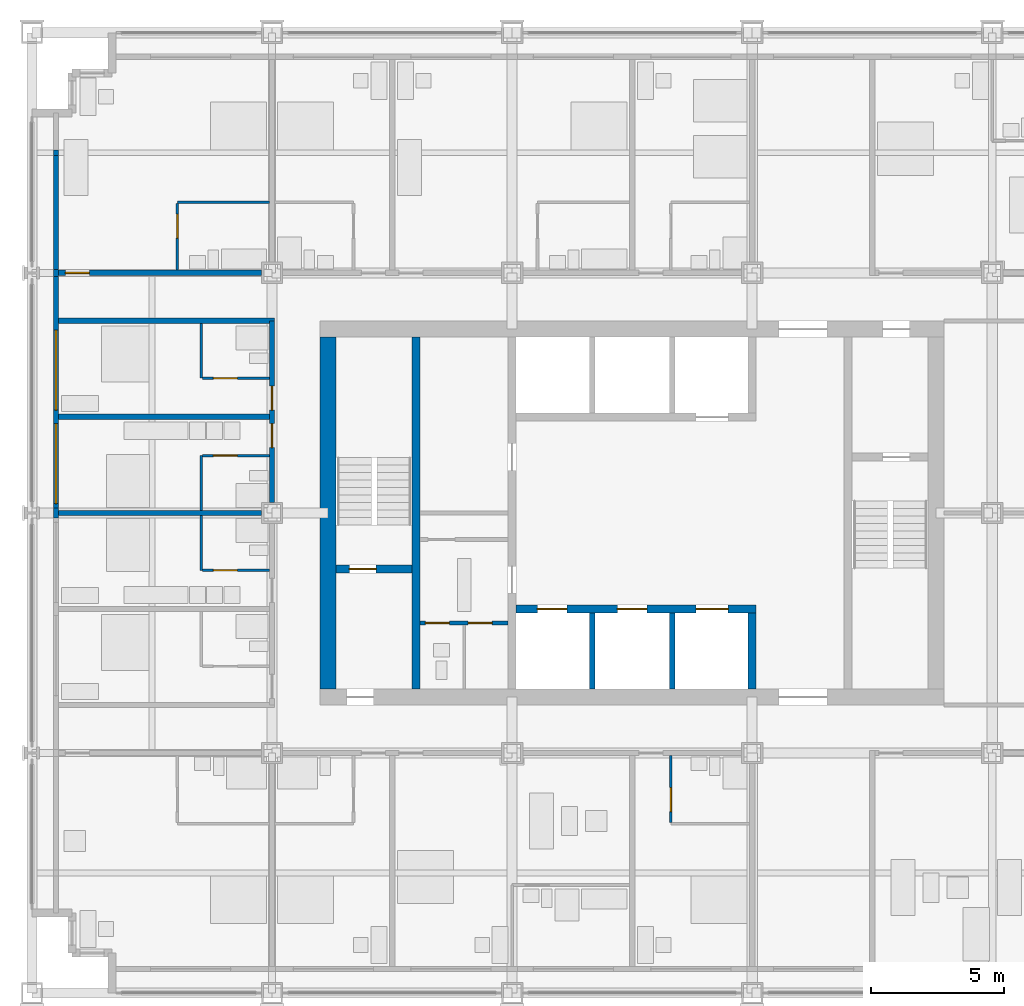
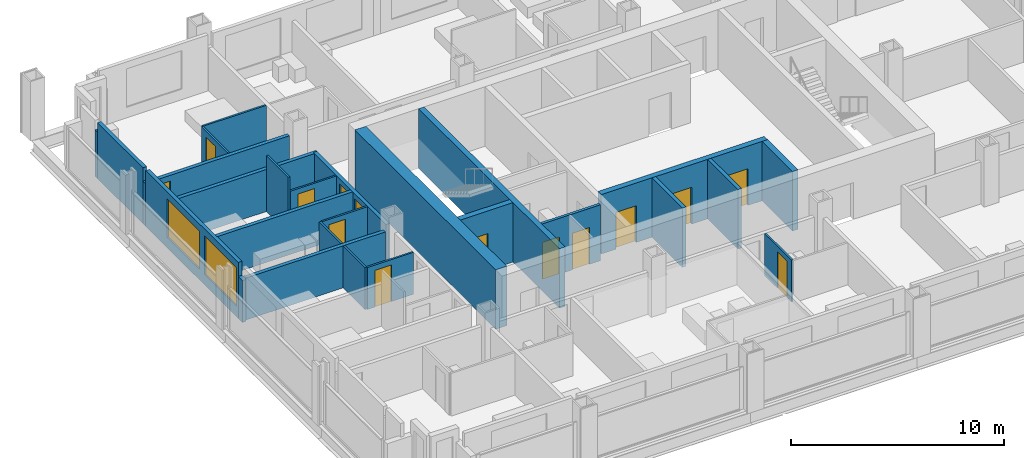
# One storey, part 11 of 18: 27 walls, 14 doors, 2 windows, 16 openings.
"""IFC4 building model written with IfcOpenShell, lengths in metres."""

from ifc_helpers import new_model, si_unit, direction, frame, frame_2d, origin, place, context, subcontext, project, spatial, rectangle, extrude, material, layer, layer_set, type_object, element, fill, save


model = new_model("IFC4")

# Units and contexts
model_context = context("Model", 3, precision=1e-05, world=origin(), true_north=direction((0.0, 1.0)))
body_context = subcontext(model_context, "Body", "Model", "MODEL_VIEW")
ifc_project = project(units=[si_unit("LENGTHUNIT", "METRE"), si_unit("AREAUNIT", "SQUARE_METRE"), si_unit("VOLUMEUNIT", "CUBIC_METRE"), si_unit("PLANEANGLEUNIT", "RADIAN"), si_unit("MASSUNIT", "GRAM", prefix="KILO")], contexts=[model_context])

# Site, building, storey
site_placement = place(None, origin())
site = spatial("IfcSite", under=ifc_project, at=site_placement, CompositionType="ELEMENT")
building_placement = place(site_placement, origin())
building = spatial("IfcBuilding", under=site, at=building_placement, Name="Loomwork Tower", CompositionType="ELEMENT")
storey_placement = place(building_placement, frame((0.0, 0.0, 55.199951171875)))
storey = spatial("IfcBuildingStorey", under=building, at=storey_placement, Name="L13", CompositionType="ELEMENT", Elevation=55.199951171875)

# Wall
ifc_material_1 = material(Name="Concrete 14000 psi (97 MPa)", Category="concrete")
ifc_layer_1 = layer(ifc_material_1, 0.300048828125)
ifc_layer_set_1 = layer_set([ifc_layer_1], Name="Core shear wall 300")
wall_type_1 = type_object("IfcWallType", Name="Core shear wall 300", PredefinedType="SHEAR", material=ifc_layer_set_1)
wall_1_placement = place(storey_placement, frame((14.39990234375, 11.39990234375, 0.0), z_axis=(0.0, 0.0, 1.0), x_axis=(0.0, 1.0, 0.0)))
element("IfcWall", 1, at=wall_1_placement, inside=storey, type_object=wall_type_1, Name="Stair A east wall L13", PredefinedType="SHEAR", context=body_context, shape_type="SweptSolid", body=[
    extrude(rectangle(XDim=13.2001953125, YDim=0.300048828125, at=frame_2d((6.60009765625, 0.0))), origin(), (0.0, 0.0, 1.0), 3.400146484375),
])

# Wall, opening, door
wall_2_placement = place(storey_placement, frame((11.39990234375, 15.89990234375, 0.0), z_axis=(0.0, 0.0, 1.0), x_axis=(1.0, 0.0, 0.0)))
wall_2 = element("IfcWall", 2, at=wall_2_placement, inside=storey, type_object=wall_type_1, Name="Stair A south wall L13", PredefinedType="SHEAR", context=body_context, shape_type="SweptSolid", body=[
    extrude(rectangle(XDim=2.85009765625, YDim=0.300048828125, at=frame_2d((1.425048828125, 0.0))), origin(), (0.0, 0.0, 1.0), 3.400146484375),
])
opening_1_placement = place(wall_2_placement, frame((0.5, 0.0, 0.0)))
opening_1 = element("IfcOpeningElement", 3, at=opening_1_placement, cuts=wall_2, Name="Opening D4", PredefinedType="OPENING", context=body_context, shape_type="SweptSolid", body=[
    extrude(rectangle(XDim=1.0, YDim=2.10009765625, at=frame_2d((0.5, 1.050048828125))), frame((0.0, 0.159912109375, 0.0), z_axis=(0.0, -1.0, 0.0), x_axis=(1.0, 0.0, 0.0)), (0.0, 0.0, 1.0), 0.320068359375),
])
ifc_material_2 = material(Name="Hollow metal door and frame")
door_type_1 = type_object("IfcDoorType", Name="Stair door 1000", OperationType="SINGLE_SWING_RIGHT", PredefinedType="DOOR", material=ifc_material_2)
door_1_placement = place(opening_1_placement, origin())
door_1 = element("IfcDoor", 4, at=door_1_placement, inside=storey, type_object=door_type_1, Name="Stair A door", OperationType="SINGLE_SWING_LEFT", OverallHeight=2.10009765625, OverallWidth=1.0, PredefinedType="DOOR", context=body_context, shape_type="SweptSolid", body=[
    extrude(rectangle(XDim=1.0, YDim=2.10009765625, at=frame_2d((0.5, 1.050048828125))), frame((0.0, 0.02490234375, 0.0), z_axis=(0.0, -1.0, 0.0), x_axis=(1.0, 0.0, 0.0)), (0.0, 0.0, 1.0), 0.050048828125),
])
fill(opening_1, door_1)

# Wall, openings, doors
wall_3_placement = place(storey_placement, frame((18.14990234375, 14.39990234375, 0.0), z_axis=(0.0, 0.0, 1.0), x_axis=(1.0, 0.0, 0.0)))
wall_3 = element("IfcWall", 5, at=wall_3_placement, inside=storey, type_object=wall_type_1, Name="Lift front wall south L13", PredefinedType="SHEAR", context=body_context, shape_type="SweptSolid", body=[
    extrude(rectangle(XDim=9.0, YDim=0.300048828125, at=frame_2d((4.5, 0.0))), origin(), (0.0, 0.0, 1.0), 3.400146484375),
])
opening_2_placement = place(wall_3_placement, frame((0.800048828125, 0.0, 0.0)))
opening_2 = element("IfcOpeningElement", 6, at=opening_2_placement, cuts=wall_3, Name="Opening LD1", PredefinedType="OPENING", context=body_context, shape_type="SweptSolid", body=[
    extrude(rectangle(XDim=1.10009765625, YDim=2.10009765625, at=frame_2d((0.550048828125, 1.050048828125))), frame((0.0, 0.159912109375, 0.0), z_axis=(0.0, -1.0, 0.0), x_axis=(1.0, 0.0, 0.0)), (0.0, 0.0, 1.0), 0.320068359375),
])
opening_3_placement = place(wall_3_placement, frame((3.800048828125, 0.0, 0.0)))
opening_3 = element("IfcOpeningElement", 7, at=opening_3_placement, cuts=wall_3, Name="Opening LD1", PredefinedType="OPENING", context=body_context, shape_type="SweptSolid", body=[
    extrude(rectangle(XDim=1.10009765625, YDim=2.10009765625, at=frame_2d((0.550048828125, 1.050048828125))), frame((0.0, 0.159912109375, 0.0), z_axis=(0.0, -1.0, 0.0), x_axis=(1.0, 0.0, 0.0)), (0.0, 0.0, 1.0), 0.320068359375),
])
opening_4_placement = place(wall_3_placement, frame((6.75, 0.0, 0.0)))
opening_4 = element("IfcOpeningElement", 8, at=opening_4_placement, cuts=wall_3, Name="Opening LD2", PredefinedType="OPENING", context=body_context, shape_type="SweptSolid", body=[
    extrude(rectangle(XDim=1.199951171875, YDim=2.10009765625, at=frame_2d((0.60009765625, 1.050048828125))), frame((0.0, 0.159912109375, 0.0), z_axis=(0.0, -1.0, 0.0), x_axis=(1.0, 0.0, 0.0)), (0.0, 0.0, 1.0), 0.320068359375),
])
ifc_material_3 = material(Name="Hollow metal door and frame")
door_type_2 = type_object("IfcDoorType", Name="Lift landing door 1100", OperationType="SLIDING_TO_LEFT", PredefinedType="DOOR", material=ifc_material_3)
door_2_placement = place(opening_2_placement, origin())
door_2 = element("IfcDoor", 9, at=door_2_placement, inside=storey, type_object=door_type_2, Name="Lift landing door LA1", OperationType="SLIDING_TO_LEFT", OverallHeight=2.10009765625, OverallWidth=1.10009765625, PredefinedType="DOOR", context=body_context, shape_type="SweptSolid", body=[
    extrude(rectangle(XDim=1.10009765625, YDim=2.10009765625, at=frame_2d((0.550048828125, 1.050048828125))), frame((0.0, 0.02490234375, 0.0), z_axis=(0.0, -1.0, 0.0), x_axis=(1.0, 0.0, 0.0)), (0.0, 0.0, 1.0), 0.050048828125),
])
fill(opening_2, door_2)
door_3_placement = place(opening_3_placement, origin())
door_3 = element("IfcDoor", 10, at=door_3_placement, inside=storey, type_object=door_type_2, Name="Lift landing door LA2", OperationType="SLIDING_TO_LEFT", OverallHeight=2.10009765625, OverallWidth=1.10009765625, PredefinedType="DOOR", context=body_context, shape_type="SweptSolid", body=[
    extrude(rectangle(XDim=1.10009765625, YDim=2.10009765625, at=frame_2d((0.550048828125, 1.050048828125))), frame((0.0, 0.02490234375, 0.0), z_axis=(0.0, -1.0, 0.0), x_axis=(1.0, 0.0, 0.0)), (0.0, 0.0, 1.0), 0.050048828125),
])
fill(opening_3, door_3)
ifc_material_4 = material(Name="Hollow metal door and frame")
door_type_3 = type_object("IfcDoorType", Name="Lift landing door 1200", OperationType="SLIDING_TO_LEFT", PredefinedType="DOOR", material=ifc_material_4)
door_4_placement = place(opening_4_placement, origin())
door_4 = element("IfcDoor", 11, at=door_4_placement, inside=storey, type_object=door_type_3, Name="Lift landing door LF1", OperationType="SLIDING_TO_LEFT", OverallHeight=2.10009765625, OverallWidth=1.199951171875, PredefinedType="DOOR", context=body_context, shape_type="SweptSolid", body=[
    extrude(rectangle(XDim=1.199951171875, YDim=2.10009765625, at=frame_2d((0.60009765625, 1.050048828125))), frame((0.0, 0.02490234375, 0.0), z_axis=(0.0, -1.0, 0.0), x_axis=(1.0, 0.0, 0.0)), (0.0, 0.0, 1.0), 0.050048828125),
])
fill(opening_4, door_4)

# Walls
wall_4_placement = place(storey_placement, frame((27.0, 11.39990234375, 0.0), z_axis=(0.0, 0.0, 1.0), x_axis=(0.0, 1.0, 0.0)))
element("IfcWall", 12, at=wall_4_placement, inside=storey, type_object=wall_type_1, Name="Lift shaft end wall south L13", PredefinedType="SHEAR", context=body_context, shape_type="SweptSolid", body=[
    extrude(rectangle(XDim=2.85009765625, YDim=0.300048828125, at=frame_2d((1.425048828125, 0.0))), origin(), (0.0, 0.0, 1.0), 3.400146484375),
])
ifc_material_5 = material(Name="Concrete 14000 psi (97 MPa)", Category="concrete")
ifc_layer_2 = layer(ifc_material_5, 0.60009765625)
ifc_layer_set_2 = layer_set([ifc_layer_2], Name="Core shear wall 600")
wall_type_2 = type_object("IfcWallType", Name="Core shear wall 600", PredefinedType="SHEAR", material=ifc_layer_set_2)
wall_5_placement = place(storey_placement, frame((11.10009765625, 11.39990234375, 0.0), z_axis=(0.0, 0.0, 1.0), x_axis=(0.0, 1.0, 0.0)))
element("IfcWall", 13, at=wall_5_placement, inside=storey, type_object=wall_type_2, Name="Core wall west L13", PredefinedType="SHEAR", context=body_context, shape_type="SweptSolid", body=[
    extrude(rectangle(XDim=13.2001953125, YDim=0.60009765625, at=frame_2d((6.60009765625, 0.0))), origin(), (0.0, 0.0, 1.0), 3.400146484375),
])

# Wall, opening, door
ifc_material_6 = material(Name="Gypsum board on steel studs, one-hour", Category="steel")
ifc_layer_3 = layer(ifc_material_6, 0.199951171875)
ifc_layer_set_3 = layer_set([ifc_layer_3], Name="Corridor wall 200")
wall_type_3 = type_object("IfcWallType", Name="Corridor wall 200", PredefinedType="PARTITIONING", material=ifc_layer_set_3)
wall_6_placement = place(storey_placement, frame((1.0, 27.0, 0.0), z_axis=(0.0, 0.0, 1.0), x_axis=(1.0, 0.0, 0.0)))
wall_6 = element("IfcWall", 14, at=wall_6_placement, inside=storey, type_object=wall_type_3, Name="North corridor wall 1", PredefinedType="PARTITIONING", context=body_context, shape_type="SweptSolid", body=[
    extrude(rectangle(XDim=7.60009765625, YDim=0.199951171875, at=frame_2d((3.800048828125, 0.0))), origin(), (0.0, 0.0, 1.0), 2.43798828125),
])
opening_5_placement = place(wall_6_placement, frame((0.25, 0.0, 0.0)))
opening_5 = element("IfcOpeningElement", 15, at=opening_5_placement, cuts=wall_6, Name="Opening D1", PredefinedType="OPENING", context=body_context, shape_type="SweptSolid", body=[
    extrude(rectangle(XDim=0.89990234375, YDim=2.10009765625, at=frame_2d((0.449951171875, 1.050048828125))), frame((0.0, 0.10986328125, 0.0), z_axis=(0.0, -1.0, 0.0), x_axis=(1.0, 0.0, 0.0)), (0.0, 0.0, 1.0), 0.219970703125),
])
ifc_material_7 = material(Name="Hollow metal door and frame")
door_type_4 = type_object("IfcDoorType", Name="Guest room entry door 900", OperationType="SINGLE_SWING_LEFT", PredefinedType="DOOR", material=ifc_material_7)
door_5_placement = place(opening_5_placement, origin())
door_5 = element("IfcDoor", 16, at=door_5_placement, inside=storey, type_object=door_type_4, Name="Guest room entry door L13 8", OperationType="SINGLE_SWING_LEFT", OverallHeight=2.10009765625, OverallWidth=0.89990234375, PredefinedType="DOOR", context=body_context, shape_type="SweptSolid", body=[
    extrude(rectangle(XDim=0.89990234375, YDim=2.10009765625, at=frame_2d((0.449951171875, 1.050048828125))), frame((0.0, 0.02490234375, 0.0), z_axis=(0.0, -1.0, 0.0), x_axis=(1.0, 0.0, 0.0)), (0.0, 0.0, 1.0), 0.050048828125),
])
fill(opening_5, door_5)

# Wall, openings, doors
wall_7_placement = place(storey_placement, frame((9.0, 18.39990234375, 0.0), z_axis=(0.0, 0.0, 1.0), x_axis=(0.0, 1.0, 0.0)))
wall_7 = element("IfcWall", 17, at=wall_7_placement, inside=storey, type_object=wall_type_3, Name="West corridor wall 2", PredefinedType="PARTITIONING", context=body_context, shape_type="SweptSolid", body=[
    extrude(rectangle(XDim=6.800048828125, YDim=0.199951171875, at=frame_2d((3.39990234375, 0.0))), origin(), (0.0, 0.0, 1.0), 2.405029296875),
])
opening_6_placement = place(wall_7_placement, frame((2.050048828125, 0.0, 0.0)))
opening_6 = element("IfcOpeningElement", 18, at=opening_6_placement, cuts=wall_7, Name="Opening D1", PredefinedType="OPENING", context=body_context, shape_type="SweptSolid", body=[
    extrude(rectangle(XDim=0.89990234375, YDim=2.10009765625, at=frame_2d((0.449951171875, 1.050048828125))), frame((0.0, 0.10986328125, 0.0), z_axis=(0.0, -1.0, 0.0), x_axis=(1.0, 0.0, 0.0)), (0.0, 0.0, 1.0), 0.219970703125),
])
opening_7_placement = place(wall_7_placement, frame((3.449951171875, 0.0, 0.0)))
opening_7 = element("IfcOpeningElement", 19, at=opening_7_placement, cuts=wall_7, Name="Opening D1", PredefinedType="OPENING", context=body_context, shape_type="SweptSolid", body=[
    extrude(rectangle(XDim=0.89990234375, YDim=2.10009765625, at=frame_2d((0.449951171875, 1.050048828125))), frame((0.0, 0.10986328125, 0.0), z_axis=(0.0, -1.0, 0.0), x_axis=(1.0, 0.0, 0.0)), (0.0, 0.0, 1.0), 0.219970703125),
])
door_6_placement = place(opening_6_placement, origin())
door_6 = element("IfcDoor", 20, at=door_6_placement, inside=storey, type_object=door_type_4, Name="Guest room entry door L13 17", OperationType="SINGLE_SWING_RIGHT", OverallHeight=2.10009765625, OverallWidth=0.89990234375, PredefinedType="DOOR", context=body_context, shape_type="SweptSolid", body=[
    extrude(rectangle(XDim=0.89990234375, YDim=2.10009765625, at=frame_2d((0.449951171875, 1.050048828125))), frame((0.0, 0.02490234375, 0.0), z_axis=(0.0, -1.0, 0.0), x_axis=(1.0, 0.0, 0.0)), (0.0, 0.0, 1.0), 0.050048828125),
])
fill(opening_6, door_6)
door_7_placement = place(opening_7_placement, origin())
door_7 = element("IfcDoor", 21, at=door_7_placement, inside=storey, type_object=door_type_4, Name="Guest room entry door L13 18", OperationType="SINGLE_SWING_LEFT", OverallHeight=2.10009765625, OverallWidth=0.89990234375, PredefinedType="DOOR", context=body_context, shape_type="SweptSolid", body=[
    extrude(rectangle(XDim=0.89990234375, YDim=2.10009765625, at=frame_2d((0.449951171875, 1.050048828125))), frame((0.0, 0.02490234375, 0.0), z_axis=(0.0, -1.0, 0.0), x_axis=(1.0, 0.0, 0.0)), (0.0, 0.0, 1.0), 0.050048828125),
])
fill(opening_7, door_7)

# Wall
wall_8_placement = place(storey_placement, frame((1.0, 25.199951171875, 0.0), z_axis=(0.0, 0.0, 1.0), x_axis=(1.0, 0.0, 0.0)))
element("IfcWall", 22, at=wall_8_placement, inside=storey, type_object=wall_type_3, Name="West band end wall N", PredefinedType="PARTITIONING", context=body_context, shape_type="SweptSolid", body=[
    extrude(rectangle(XDim=8.10009765625, YDim=0.199951171875, at=frame_2d((4.050048828125, 0.0))), origin(), (0.0, 0.0, 1.0), 2.404052734375),
])

# Wall, opening, door
ifc_material_8 = material(Name="Cement board on steel studs", Category="steel")
ifc_layer_4 = layer(ifc_material_8, 0.10009765625)
ifc_layer_set_4 = layer_set([ifc_layer_4], Name="En-suite partition 100")
wall_type_4 = type_object("IfcWallType", Name="En-suite partition 100", PredefinedType="PARTITIONING", material=ifc_layer_set_4)
wall_9_placement = place(storey_placement, frame((23.949951171875, 8.89990234375, 0.0), z_axis=(0.0, 0.0, 1.0), x_axis=(0.0, -1.0, 0.0)))
wall_9 = element("IfcWall", 23, at=wall_9_placement, inside=storey, type_object=wall_type_4, Name="En-suite side wall L13 room 4", PredefinedType="PARTITIONING", context=body_context, shape_type="SweptSolid", body=[
    extrude(rectangle(XDim=2.5, YDim=0.10009765625, at=frame_2d((1.25, 0.0))), origin(), (0.0, 0.0, 1.0), 2.404052734375),
])
opening_8_placement = place(wall_9_placement, frame((1.199951171875, 0.0, 0.0)))
opening_8 = element("IfcOpeningElement", 24, at=opening_8_placement, cuts=wall_9, Name="Opening D2", PredefinedType="OPENING", context=body_context, shape_type="SweptSolid", body=[
    extrude(rectangle(XDim=0.89990234375, YDim=2.10009765625, at=frame_2d((0.449951171875, 1.050048828125))), frame((0.0, 0.06005859375, 0.0), z_axis=(0.0, -1.0, 0.0), x_axis=(1.0, 0.0, 0.0)), (0.0, 0.0, 1.0), 0.1201171875),
])
ifc_material_9 = material(Name="Hollow metal door and frame")
door_type_5 = type_object("IfcDoorType", Name="En-suite door 900", OperationType="SINGLE_SWING_LEFT", PredefinedType="DOOR", material=ifc_material_9)
door_8_placement = place(opening_8_placement, origin())
door_8 = element("IfcDoor", 25, at=door_8_placement, inside=storey, type_object=door_type_5, Name="En-suite door room 4", OperationType="SINGLE_SWING_RIGHT", OverallHeight=2.10009765625, OverallWidth=0.89990234375, PredefinedType="DOOR", context=body_context, shape_type="SweptSolid", body=[
    extrude(rectangle(XDim=0.89990234375, YDim=2.10009765625, at=frame_2d((0.449951171875, 1.050048828125))), frame((0.0, 0.02490234375, 0.0), z_axis=(0.0, -1.0, 0.0), x_axis=(1.0, 0.0, 0.0)), (0.0, 0.0, 1.0), 0.050048828125),
])
fill(opening_8, door_8)

# Wall
wall_10_placement = place(storey_placement, frame((5.449951171875, 29.64990234375, 0.0), z_axis=(0.0, 0.0, 1.0), x_axis=(1.0, 0.0, 0.0)))
element("IfcWall", 26, at=wall_10_placement, inside=storey, type_object=wall_type_4, Name="En-suite wall L13 room 8", PredefinedType="PARTITIONING", context=body_context, shape_type="SweptSolid", body=[
    extrude(rectangle(XDim=3.449951171875, YDim=0.10009765625, at=frame_2d((1.72509765625, 0.0))), origin(), (0.0, 0.0, 1.0), 2.43798828125),
])

# Wall, opening, door
wall_11_placement = place(storey_placement, frame((5.449951171875, 27.10009765625, 0.0), z_axis=(0.0, 0.0, 1.0), x_axis=(0.0, 1.0, 0.0)))
wall_11 = element("IfcWall", 27, at=wall_11_placement, inside=storey, type_object=wall_type_4, Name="En-suite side wall L13 room 8", PredefinedType="PARTITIONING", context=body_context, shape_type="SweptSolid", body=[
    extrude(rectangle(XDim=2.5, YDim=0.10009765625, at=frame_2d((1.25, 0.0))), origin(), (0.0, 0.0, 1.0), 2.43798828125),
])
opening_9_placement = place(wall_11_placement, frame((1.199951171875, 0.0, 0.0)))
opening_9 = element("IfcOpeningElement", 28, at=opening_9_placement, cuts=wall_11, Name="Opening D2", PredefinedType="OPENING", context=body_context, shape_type="SweptSolid", body=[
    extrude(rectangle(XDim=0.89990234375, YDim=2.10009765625, at=frame_2d((0.449951171875, 1.050048828125))), frame((0.0, 0.06005859375, 0.0), z_axis=(0.0, -1.0, 0.0), x_axis=(1.0, 0.0, 0.0)), (0.0, 0.0, 1.0), 0.1201171875),
])
door_9_placement = place(opening_9_placement, frame((0.89990234375, 0.0, 0.0), z_axis=(0.0, 0.0, 1.0), x_axis=(-1.0, 0.0, 0.0)))
door_9 = element("IfcDoor", 29, at=door_9_placement, inside=storey, type_object=door_type_5, Name="En-suite door room 8", OperationType="SINGLE_SWING_LEFT", OverallHeight=2.10009765625, OverallWidth=0.89990234375, PredefinedType="DOOR", context=body_context, shape_type="SweptSolid", body=[
    extrude(rectangle(XDim=0.89990234375, YDim=2.10009765625, at=frame_2d((0.449951171875, 1.050048828125))), frame((0.0, 0.02490234375, 0.0), z_axis=(0.0, -1.0, 0.0), x_axis=(1.0, 0.0, 0.0)), (0.0, 0.0, 1.0), 0.050048828125),
])
fill(opening_9, door_9)

# Wall
wall_12_placement = place(storey_placement, frame((6.35009765625, 15.85009765625, 0.0), z_axis=(0.0, 0.0, 1.0), x_axis=(0.0, 1.0, 0.0)))
element("IfcWall", 30, at=wall_12_placement, inside=storey, type_object=wall_type_4, Name="En-suite wall L13 room 16", PredefinedType="PARTITIONING", context=body_context, shape_type="SweptSolid", body=[
    extrude(rectangle(XDim=2.0498046875, YDim=0.10009765625, at=frame_2d((1.02490234375, 0.0))), origin(), (0.0, 0.0, 1.0), 2.404052734375),
])

# Wall, opening, door
wall_13_placement = place(storey_placement, frame((8.89990234375, 15.85009765625, 0.0), z_axis=(0.0, 0.0, 1.0), x_axis=(-1.0, 0.0, 0.0)))
wall_13 = element("IfcWall", 31, at=wall_13_placement, inside=storey, type_object=wall_type_4, Name="En-suite side wall L13 room 16", PredefinedType="PARTITIONING", context=body_context, shape_type="SweptSolid", body=[
    extrude(rectangle(XDim=2.5, YDim=0.10009765625, at=frame_2d((1.25, 0.0))), origin(), (0.0, 0.0, 1.0), 2.404052734375),
])
opening_10_placement = place(wall_13_placement, frame((1.199951171875, 0.0, 0.0)))
opening_10 = element("IfcOpeningElement", 32, at=opening_10_placement, cuts=wall_13, Name="Opening D2", PredefinedType="OPENING", context=body_context, shape_type="SweptSolid", body=[
    extrude(rectangle(XDim=0.89990234375, YDim=2.10009765625, at=frame_2d((0.449951171875, 1.050048828125))), frame((0.0, 0.06005859375, 0.0), z_axis=(0.0, -1.0, 0.0), x_axis=(1.0, 0.0, 0.0)), (0.0, 0.0, 1.0), 0.1201171875),
])
door_10_placement = place(opening_10_placement, frame((0.89990234375, 0.0, 0.0), z_axis=(0.0, 0.0, 1.0), x_axis=(-1.0, 0.0, 0.0)))
door_10 = element("IfcDoor", 33, at=door_10_placement, inside=storey, type_object=door_type_5, Name="En-suite door room 16", OperationType="SINGLE_SWING_LEFT", OverallHeight=2.10009765625, OverallWidth=0.89990234375, PredefinedType="DOOR", context=body_context, shape_type="SweptSolid", body=[
    extrude(rectangle(XDim=0.89990234375, YDim=2.10009765625, at=frame_2d((0.449951171875, 1.050048828125))), frame((0.0, 0.02490234375, 0.0), z_axis=(0.0, -1.0, 0.0), x_axis=(1.0, 0.0, 0.0)), (0.0, 0.0, 1.0), 0.050048828125),
])
fill(opening_10, door_10)

# Wall
wall_14_placement = place(storey_placement, frame((6.35009765625, 18.10009765625, 0.0), z_axis=(0.0, 0.0, 1.0), x_axis=(0.0, 1.0, 0.0)))
element("IfcWall", 34, at=wall_14_placement, inside=storey, type_object=wall_type_4, Name="En-suite wall L13 room 17", PredefinedType="PARTITIONING", context=body_context, shape_type="SweptSolid", body=[
    extrude(rectangle(XDim=2.0498046875, YDim=0.10009765625, at=frame_2d((1.02490234375, 0.0))), origin(), (0.0, 0.0, 1.0), 2.404052734375),
])

# Wall, opening, door
wall_15_placement = place(storey_placement, frame((8.89990234375, 20.14990234375, 0.0), z_axis=(0.0, 0.0, 1.0), x_axis=(-1.0, 0.0, 0.0)))
wall_15 = element("IfcWall", 35, at=wall_15_placement, inside=storey, type_object=wall_type_4, Name="En-suite side wall L13 room 17", PredefinedType="PARTITIONING", context=body_context, shape_type="SweptSolid", body=[
    extrude(rectangle(XDim=2.5, YDim=0.10009765625, at=frame_2d((1.25, 0.0))), origin(), (0.0, 0.0, 1.0), 2.404052734375),
])
opening_11_placement = place(wall_15_placement, frame((1.199951171875, 0.0, 0.0)))
opening_11 = element("IfcOpeningElement", 36, at=opening_11_placement, cuts=wall_15, Name="Opening D2", PredefinedType="OPENING", context=body_context, shape_type="SweptSolid", body=[
    extrude(rectangle(XDim=0.89990234375, YDim=2.10009765625, at=frame_2d((0.449951171875, 1.050048828125))), frame((0.0, 0.06005859375, 0.0), z_axis=(0.0, -1.0, 0.0), x_axis=(1.0, 0.0, 0.0)), (0.0, 0.0, 1.0), 0.1201171875),
])
door_11_placement = place(opening_11_placement, origin())
door_11 = element("IfcDoor", 37, at=door_11_placement, inside=storey, type_object=door_type_5, Name="En-suite door room 17", OperationType="SINGLE_SWING_RIGHT", OverallHeight=2.10009765625, OverallWidth=0.89990234375, PredefinedType="DOOR", context=body_context, shape_type="SweptSolid", body=[
    extrude(rectangle(XDim=0.89990234375, YDim=2.10009765625, at=frame_2d((0.449951171875, 1.050048828125))), frame((0.0, 0.02490234375, 0.0), z_axis=(0.0, -1.0, 0.0), x_axis=(1.0, 0.0, 0.0)), (0.0, 0.0, 1.0), 0.050048828125),
])
fill(opening_11, door_11)

# Wall
wall_16_placement = place(storey_placement, frame((6.35009765625, 23.050048828125, 0.0), z_axis=(0.0, 0.0, 1.0), x_axis=(0.0, 1.0, 0.0)))
element("IfcWall", 38, at=wall_16_placement, inside=storey, type_object=wall_type_4, Name="En-suite wall L13 room 18", PredefinedType="PARTITIONING", context=body_context, shape_type="SweptSolid", body=[
    extrude(rectangle(XDim=2.050048828125, YDim=0.10009765625, at=frame_2d((1.02490234375, 0.0))), origin(), (0.0, 0.0, 1.0), 3.199951171875),
])

# Wall, opening, door
wall_17_placement = place(storey_placement, frame((8.89990234375, 23.050048828125, 0.0), z_axis=(0.0, 0.0, 1.0), x_axis=(-1.0, 0.0, 0.0)))
wall_17 = element("IfcWall", 39, at=wall_17_placement, inside=storey, type_object=wall_type_4, Name="En-suite side wall L13 room 18", PredefinedType="PARTITIONING", context=body_context, shape_type="SweptSolid", body=[
    extrude(rectangle(XDim=2.5, YDim=0.10009765625, at=frame_2d((1.25, 0.0))), origin(), (0.0, 0.0, 1.0), 2.404052734375),
])
opening_12_placement = place(wall_17_placement, frame((1.199951171875, 0.0, 0.0)))
opening_12 = element("IfcOpeningElement", 40, at=opening_12_placement, cuts=wall_17, Name="Opening D2", PredefinedType="OPENING", context=body_context, shape_type="SweptSolid", body=[
    extrude(rectangle(XDim=0.89990234375, YDim=2.10009765625, at=frame_2d((0.449951171875, 1.050048828125))), frame((0.0, 0.06005859375, 0.0), z_axis=(0.0, -1.0, 0.0), x_axis=(1.0, 0.0, 0.0)), (0.0, 0.0, 1.0), 0.1201171875),
])
door_12_placement = place(opening_12_placement, frame((0.89990234375, 0.0, 0.0), z_axis=(0.0, 0.0, 1.0), x_axis=(-1.0, 0.0, 0.0)))
door_12 = element("IfcDoor", 41, at=door_12_placement, inside=storey, type_object=door_type_5, Name="En-suite door room 18", OperationType="SINGLE_SWING_LEFT", OverallHeight=2.10009765625, OverallWidth=0.89990234375, PredefinedType="DOOR", context=body_context, shape_type="SweptSolid", body=[
    extrude(rectangle(XDim=0.89990234375, YDim=2.10009765625, at=frame_2d((0.449951171875, 1.050048828125))), frame((0.0, 0.02490234375, 0.0), z_axis=(0.0, -1.0, 0.0), x_axis=(1.0, 0.0, 0.0)), (0.0, 0.0, 1.0), 0.050048828125),
])
fill(opening_12, door_12)

# Walls
ifc_material_10 = material(Name="Gypsum board on steel studs, acoustic", Category="steel")
ifc_layer_5 = layer(ifc_material_10, 0.199951171875)
ifc_layer_set_5 = layer_set([ifc_layer_5], Name="Guest room party wall 200")
wall_type_5 = type_object("IfcWallType", Name="Guest room party wall 200", PredefinedType="PARTITIONING", material=ifc_layer_set_5)
wall_18_placement = place(storey_placement, frame((8.60009765625, 18.0, 0.0), z_axis=(0.0, 0.0, 1.0), x_axis=(-1.0, 0.0, 0.0)))
element("IfcWall", 42, at=wall_18_placement, inside=storey, type_object=wall_type_5, Name="Guest room party wall W 18", PredefinedType="PARTITIONING", context=body_context, shape_type="SweptSolid", body=[
    extrude(rectangle(XDim=7.60009765625, YDim=0.199951171875, at=frame_2d((3.800048828125, 0.0))), origin(), (0.0, 0.0, 1.0), 2.405029296875),
])
wall_19_placement = place(storey_placement, frame((8.89990234375, 21.60009765625, 0.0), z_axis=(0.0, 0.0, 1.0), x_axis=(-1.0, 0.0, 0.0)))
element("IfcWall", 43, at=wall_19_placement, inside=storey, type_object=wall_type_5, Name="Guest room party wall W 21.6", PredefinedType="PARTITIONING", context=body_context, shape_type="SweptSolid", body=[
    extrude(rectangle(XDim=7.89990234375, YDim=0.199951171875, at=frame_2d((3.949951171875, 0.0))), origin(), (0.0, 0.0, 1.0), 2.404052734375),
])
ifc_material_11 = material(Name="Insulated steel stud wall with gypsum lining", Category="steel")
ifc_layer_6 = layer(ifc_material_11, 0.199951171875)
ifc_layer_set_6 = layer_set([ifc_layer_6], Name="Inner skin wall 200")
wall_type_6 = type_object("IfcWallType", Name="Inner skin wall 200", PredefinedType="SOLIDWALL", material=ifc_layer_set_6)
wall_20_placement = place(storey_placement, frame((0.89990234375, 17.80615234375, 0.0), z_axis=(0.0, 0.0, 1.0), x_axis=(0.0, 1.0, 0.0)))
element("IfcWall", 44, at=wall_20_placement, inside=storey, type_object=wall_type_6, Name="Inner skin wall W bay 6", PredefinedType="SOLIDWALL", context=body_context, shape_type="SweptSolid", body=[
    extrude(rectangle(XDim=0.3876953125, YDim=0.199951171875, at=frame_2d((0.19384765625, 0.0))), origin(), (0.0, 0.0, 1.0), 2.404052734375),
])

# Wall, openings, windows
wall_21_placement = place(storey_placement, frame((0.89990234375, 18.19384765625, 0.0), z_axis=(0.0, 0.0, 1.0), x_axis=(0.0, 1.0, 0.0)))
wall_21 = element("IfcWall", 45, at=wall_21_placement, inside=storey, type_object=wall_type_6, Name="Inner skin wall W bay 7", PredefinedType="SOLIDWALL", context=body_context, shape_type="SweptSolid", body=[
    extrude(rectangle(XDim=8.6708984375, YDim=0.199951171875, at=frame_2d((4.33544921875, 0.0))), origin(), (0.0, 0.0, 1.0), 3.199951171875),
])
opening_13_placement = place(wall_21_placement, frame((0.15625, 0.0, 0.60009765625)))
opening_13 = element("IfcOpeningElement", 46, at=opening_13_placement, cuts=wall_21, Name="Opening CH1", PredefinedType="OPENING", context=body_context, shape_type="SweptSolid", body=[
    extrude(rectangle(XDim=3.0, YDim=2.199951171875, at=frame_2d((1.5, 1.10009765625))), frame((0.0, 0.10986328125, 0.0), z_axis=(0.0, -1.0, 0.0), x_axis=(1.0, 0.0, 0.0)), (0.0, 0.0, 1.0), 0.219970703125),
])
opening_14_placement = place(wall_21_placement, frame((3.65625, 0.0, 0.60009765625)))
opening_14 = element("IfcOpeningElement", 47, at=opening_14_placement, cuts=wall_21, Name="Opening CH1", PredefinedType="OPENING", context=body_context, shape_type="SweptSolid", body=[
    extrude(rectangle(XDim=3.0, YDim=2.199951171875, at=frame_2d((1.5, 1.10009765625))), frame((0.0, 0.10986328125, 0.0), z_axis=(0.0, -1.0, 0.0), x_axis=(1.0, 0.0, 0.0)), (0.0, 0.0, 1.0), 0.219970703125),
])
ifc_material_12 = material(Name="Aluminium frame with clear insulated glass", Category="aluminium")
window_type = type_object("IfcWindowType", Name="Chicago window 3000", PartitioningType="TRIPLE_PANEL_VERTICAL", PredefinedType="WINDOW", material=ifc_material_12)
window_1_placement = place(opening_13_placement, origin())
window_1 = element("IfcWindow", 48, at=window_1_placement, inside=storey, type_object=window_type, Name="Chicago window L13 bay 14", OverallHeight=2.199951171875, OverallWidth=3.0, PartitioningType="TRIPLE_PANEL_VERTICAL", PredefinedType="WINDOW", context=body_context, shape_type="SweptSolid", body=[
    extrude(rectangle(XDim=3.0, YDim=2.199951171875, at=frame_2d((1.5, 1.10009765625))), frame((0.0, 0.030029296875, 0.0), z_axis=(0.0, -1.0, 0.0), x_axis=(1.0, 0.0, 0.0)), (0.0, 0.0, 1.0), 0.06005859375),
])
fill(opening_13, window_1)
window_2_placement = place(opening_14_placement, origin())
window_2 = element("IfcWindow", 49, at=window_2_placement, inside=storey, type_object=window_type, Name="Chicago window L13 bay 14", OverallHeight=2.199951171875, OverallWidth=3.0, PartitioningType="TRIPLE_PANEL_VERTICAL", PredefinedType="WINDOW", context=body_context, shape_type="SweptSolid", body=[
    extrude(rectangle(XDim=3.0, YDim=2.199951171875, at=frame_2d((1.5, 1.10009765625))), frame((0.0, 0.030029296875, 0.0), z_axis=(0.0, -1.0, 0.0), x_axis=(1.0, 0.0, 0.0)), (0.0, 0.0, 1.0), 0.06005859375),
])
fill(opening_14, window_2)

# Walls
wall_22_placement = place(storey_placement, frame((0.89990234375, 26.86474609375, 0.0), z_axis=(0.0, 0.0, 1.0), x_axis=(0.0, 1.0, 0.0)))
element("IfcWall", 50, at=wall_22_placement, inside=storey, type_object=wall_type_6, Name="Inner skin wall W bay 8", PredefinedType="SOLIDWALL", context=body_context, shape_type="SweptSolid", body=[
    extrude(rectangle(XDim=0.2705078125, YDim=0.199951171875, at=frame_2d((0.13525390625, 0.0))), origin(), (0.0, 0.0, 1.0), 2.43798828125),
])
wall_23_placement = place(storey_placement, frame((0.89990234375, 27.13525390625, 0.0), z_axis=(0.0, 0.0, 1.0), x_axis=(0.0, 1.0, 0.0)))
element("IfcWall", 51, at=wall_23_placement, inside=storey, type_object=wall_type_6, Name="Inner skin wall W bay 9", PredefinedType="SOLIDWALL", context=body_context, shape_type="SweptSolid", body=[
    extrude(rectangle(XDim=4.25732421875, YDim=0.199951171875, at=frame_2d((2.128662109375, 0.0))), origin(), (0.0, 0.0, 1.0), 3.199951171875),
])
wall_24_placement = place(storey_placement, frame((0.89990234375, 31.392578125, 0.0), z_axis=(0.0, 0.0, 1.0), x_axis=(0.0, 1.0, 0.0)))
element("IfcWall", 52, at=wall_24_placement, inside=storey, type_object=wall_type_6, Name="Inner skin wall W bay 10", PredefinedType="SOLIDWALL", context=body_context, shape_type="SweptSolid", body=[
    extrude(rectangle(XDim=0.21484375, YDim=0.199951171875, at=frame_2d((0.107421875, 0.0))), origin(), (0.0, 0.0, 1.0), 2.6611328125),
])
ifc_material_13 = material(Name="Concrete 14000 psi (97 MPa)", Category="concrete")
ifc_layer_7 = layer(ifc_material_13, 0.199951171875)
ifc_layer_set_7 = layer_set([ifc_layer_7], Name="Lift shaft wall 200")
wall_type_7 = type_object("IfcWallType", Name="Lift shaft wall 200", PredefinedType="SHEAR", material=ifc_layer_set_7)
for number, where, z_axis, x_axis, name in (
    (53, (21.0, 11.39990234375, 0.0), (0.0, 0.0, 1.0), (0.0, 1.0, 0.0), "Lift shaft separation wall south 1 L13"),
    (54, (24.0, 11.39990234375, 0.0), (0.0, 0.0, 1.0), (0.0, 1.0, 0.0), "Lift shaft separation wall south 2 L13"),
):
    element("IfcWall", number, at=place(storey_placement, frame(where, z_axis=z_axis, x_axis=x_axis)), inside=storey, type_object=wall_type_7, Name=name, PredefinedType="SHEAR", context=body_context, shape_type="SweptSolid", body=[
        extrude(rectangle(XDim=2.85009765625, YDim=0.199951171875, at=frame_2d((1.425048828125, 0.0))), origin(), (0.0, 0.0, 1.0), 3.400146484375),
    ])

# Wall, openings, doors
ifc_material_14 = material(Name="Gypsum board on steel studs, one-hour", Category="steel")
ifc_layer_8 = layer(ifc_material_14, 0.14990234375)
ifc_layer_set_8 = layer_set([ifc_layer_8], Name="Service partition 150")
wall_type_8 = type_object("IfcWallType", Name="Service partition 150", PredefinedType="PARTITIONING", material=ifc_layer_set_8)
wall_25_placement = place(storey_placement, frame((14.550048828125, 13.875, 0.0), z_axis=(0.0, 0.0, 1.0), x_axis=(1.0, 0.0, 0.0)))
wall_25 = element("IfcWall", 55, at=wall_25_placement, inside=storey, type_object=wall_type_8, Name="Back-of-house partition L13", PredefinedType="PARTITIONING", context=body_context, shape_type="SweptSolid", body=[
    extrude(rectangle(XDim=3.300048828125, YDim=0.14990234375, at=frame_2d((1.64990234375, 0.0))), origin(), (0.0, 0.0, 1.0), 3.199951171875),
])
opening_15_placement = place(wall_25_placement, frame((0.199951171875, 0.0, 0.0)))
opening_15 = element("IfcOpeningElement", 56, at=opening_15_placement, cuts=wall_25, Name="Opening D20", PredefinedType="OPENING", context=body_context, shape_type="SweptSolid", body=[
    extrude(rectangle(XDim=0.89990234375, YDim=2.10009765625, at=frame_2d((0.449951171875, 1.050048828125))), frame((0.0, 0.0849609375, 0.0), z_axis=(0.0, -1.0, 0.0), x_axis=(1.0, 0.0, 0.0)), (0.0, 0.0, 1.0), 0.169921875),
])
opening_16_placement = place(wall_25_placement, frame((1.800048828125, 0.0, 0.0)))
opening_16 = element("IfcOpeningElement", 57, at=opening_16_placement, cuts=wall_25, Name="Opening D20", PredefinedType="OPENING", context=body_context, shape_type="SweptSolid", body=[
    extrude(rectangle(XDim=0.89990234375, YDim=2.10009765625, at=frame_2d((0.449951171875, 1.050048828125))), frame((0.0, 0.0849609375, 0.0), z_axis=(0.0, -1.0, 0.0), x_axis=(1.0, 0.0, 0.0)), (0.0, 0.0, 1.0), 0.169921875),
])
ifc_material_15 = material(Name="Hollow metal door and frame")
door_type_6 = type_object("IfcDoorType", Name="Back-of-house door 900", OperationType="SINGLE_SWING_LEFT", PredefinedType="DOOR", material=ifc_material_15)
door_13_placement = place(opening_15_placement, frame((0.89990234375, 0.0, 0.0), z_axis=(0.0, 0.0, 1.0), x_axis=(-1.0, 0.0, 0.0)))
door_13 = element("IfcDoor", 58, at=door_13_placement, inside=storey, type_object=door_type_6, Name="Back-of-house room door", OperationType="SINGLE_SWING_RIGHT", OverallHeight=2.10009765625, OverallWidth=0.89990234375, PredefinedType="DOOR", context=body_context, shape_type="SweptSolid", body=[
    extrude(rectangle(XDim=0.89990234375, YDim=2.10009765625, at=frame_2d((0.449951171875, 1.050048828125))), frame((0.0, 0.02490234375, 0.0), z_axis=(0.0, -1.0, 0.0), x_axis=(1.0, 0.0, 0.0)), (0.0, 0.0, 1.0), 0.050048828125),
])
fill(opening_15, door_13)
door_14_placement = place(opening_16_placement, frame((0.89990234375, 0.0, 0.0), z_axis=(0.0, 0.0, 1.0), x_axis=(-1.0, 0.0, 0.0)))
door_14 = element("IfcDoor", 59, at=door_14_placement, inside=storey, type_object=door_type_6, Name="Back-of-house room door", OperationType="SINGLE_SWING_RIGHT", OverallHeight=2.10009765625, OverallWidth=0.89990234375, PredefinedType="DOOR", context=body_context, shape_type="SweptSolid", body=[
    extrude(rectangle(XDim=0.89990234375, YDim=2.10009765625, at=frame_2d((0.449951171875, 1.050048828125))), frame((0.0, 0.02490234375, 0.0), z_axis=(0.0, -1.0, 0.0), x_axis=(1.0, 0.0, 0.0)), (0.0, 0.0, 1.0), 0.050048828125),
])
fill(opening_16, door_14)

save(model, "model.ifc")
